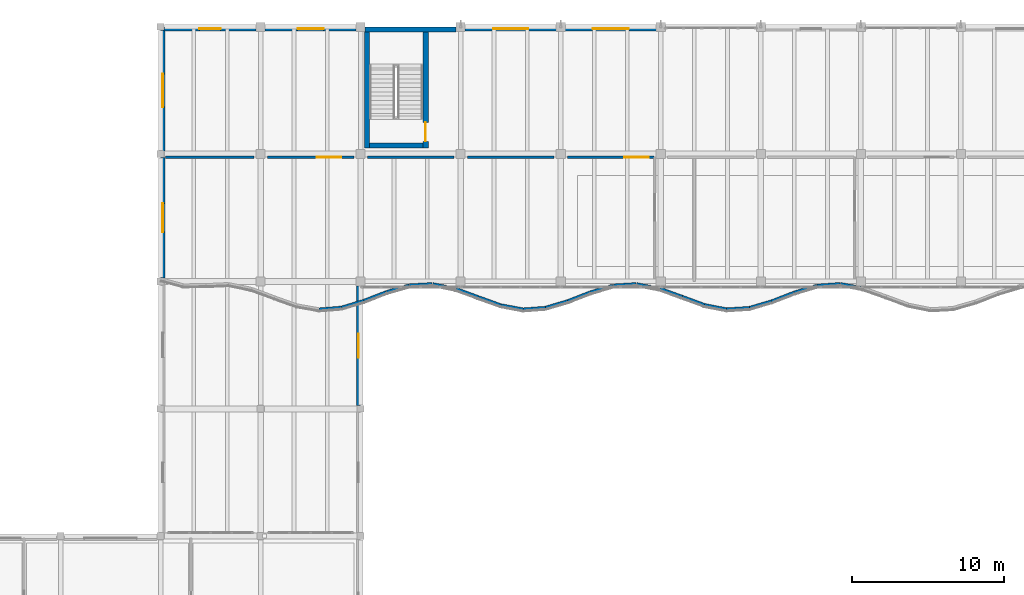
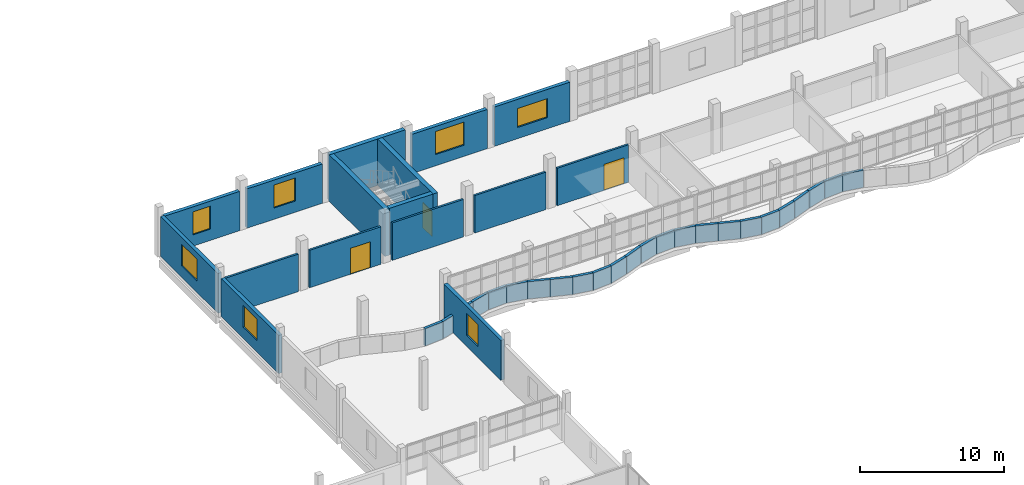
# One storey, part 49 of 74: 40 walls, 7 windows, 3 doors, 10 openings.
"""IFC4 building model written with IfcOpenShell, lengths in metres."""

import ifcopenshell
import ifcopenshell.guid

model = None  # the IFC model being written
_history = None  # IfcOwnerHistory: only IFC2X3 demands one
_inside = {}  # id of a spatial element -> (the spatial element, [elements in it])
_under = {}  # id of a project, library or spatial element -> (it, [spatial elements below it])
_declared = {}  # id of a project -> (the project, [libraries it declares])
_typed = {}  # id of a type object -> (the type object, [elements of that type])
_made_of = {}  # id of a material, layer set ... -> (it, [elements and type objects made of it])


def new_model(schema):
    """Start an empty IFC model of exactly this schema.

    Asked for "IFC4X3", IfcOpenShell would pick the latest addendum, in which some entities
    have other attributes; the version numbers below select the first issue.
    IFC2X3 requires an IfcOwnerHistory on every rooted entity: one is made here for all.
    """
    global model, _history
    if schema == "IFC4X3":
        model = ifcopenshell.file(schema_version=(4, 3, 0, 0))
    else:
        model = ifcopenshell.file(schema=schema)
    _inside.clear()
    _under.clear()
    _declared.clear()
    _typed.clear()
    _made_of.clear()
    _history = None
    if model.schema == "IFC2X3":
        org = make("IfcOrganization", Name="unknown")
        user = make(
            "IfcPersonAndOrganization",
            ThePerson=make("IfcPerson", FamilyName="unknown"),
            TheOrganization=org,
        )
        app = make(
            "IfcApplication",
            ApplicationDeveloper=org,
            Version="unknown",
            ApplicationFullName="unknown",
            ApplicationIdentifier="unknown",
        )
        _history = make(
            "IfcOwnerHistory",
            OwningUser=user,
            OwningApplication=app,
            ChangeAction="ADDED",
            CreationDate=0,
        )
    return model


def make(cls, **values):
    """One entity of the class cls with the attributes given. An attribute that is None is left unset."""
    return model.create_entity(
        cls, **{name: value for name, value in values.items() if value is not None}
    )


def rooted(cls, **values):
    """An entity with a GlobalId (a new one), such as an element, a storey or a relation."""
    return make(cls, GlobalId=ifcopenshell.guid.new(), OwnerHistory=_history, **values)


def si_unit(unit_type, name, prefix=None):
    """IfcSIUnit, for example si_unit("LENGTHUNIT", "METRE", prefix="MILLI")."""
    return make("IfcSIUnit", UnitType=unit_type, Prefix=prefix, Name=name)


def assignment(units):
    """IfcUnitAssignment: the units of a project."""
    return None if units is None else make("IfcUnitAssignment", Units=units)


def point(xyz):
    """IfcCartesianPoint."""
    return None if xyz is None else make("IfcCartesianPoint", Coordinates=xyz)


def direction(xyz):
    """IfcDirection."""
    return None if xyz is None else make("IfcDirection", DirectionRatios=xyz)


def frame(location, z_axis=None, x_axis=None):
    """IfcAxis2Placement3D, a coordinate frame: its origin and axes. An axis left out is left unset."""
    return make(
        "IfcAxis2Placement3D",
        Location=point(location),
        Axis=direction(z_axis),
        RefDirection=direction(x_axis),
    )


def frame_2d(location, x_axis=None):
    """IfcAxis2Placement2D, a coordinate frame in the plane: its origin and x axis."""
    return make(
        "IfcAxis2Placement2D", Location=point(location), RefDirection=direction(x_axis)
    )


def origin():
    """The frame at (0, 0, 0) with its axes left unset."""
    return frame((0.0, 0.0, 0.0))


def place(relative_to, where):
    """IfcLocalPlacement: puts the frame where relative to a parent placement (None: the world)."""
    return make(
        "IfcLocalPlacement", PlacementRelTo=relative_to, RelativePlacement=where
    )


def context(
    kind, dimensions, precision=None, world=None, true_north=None, identifier=None
):
    """IfcGeometricRepresentationContext, for example the 3D "Model" context."""
    return make(
        "IfcGeometricRepresentationContext",
        ContextIdentifier=identifier,
        ContextType=kind,
        CoordinateSpaceDimension=dimensions,
        Precision=precision,
        WorldCoordinateSystem=world,
        TrueNorth=true_north,
    )


def subcontext(parent, identifier, kind, view, scale=None):
    """IfcGeometricRepresentationSubContext, for example "Body" below "Model"."""
    return make(
        "IfcGeometricRepresentationSubContext",
        ContextIdentifier=identifier,
        ContextType=kind,
        ParentContext=parent,
        TargetScale=scale,
        TargetView=view,
    )


def project(units=None, contexts=None):
    """IfcProject with its units and contexts."""
    return rooted(
        "IfcProject",
        Name="project",
        RepresentationContexts=contexts,
        UnitsInContext=assignment(units),
    )


def spatial(cls, under=None, at=None, **own):
    """A site, building, storey or space (cls), placed at a placement, below another one or the project."""
    s = rooted(cls, ObjectPlacement=at, **own)
    if under is not None:
        _under.setdefault(under.id(), (under, []))[1].append(s)
    return s


def profile(cls, at=None, kind="AREA", **sizes):
    """A parametric profile (cls). Its sizes go by their IFC names, for example OverallWidth=200.0."""
    return make(cls, ProfileType=kind, Position=at, **sizes)


def rectangle(**sizes):
    """IfcRectangleProfileDef."""
    return profile("IfcRectangleProfileDef", **sizes)


def extrude(swept, where, along, depth):
    """IfcExtrudedAreaSolid: the profile swept, set in the frame where, extruded along a direction by depth."""
    return make(
        "IfcExtrudedAreaSolid",
        SweptArea=swept,
        Position=where,
        ExtrudedDirection=direction(along),
        Depth=depth,
    )


def shape(context_of_items, identifier, shape_type, items):
    """IfcShapeRepresentation: the items that make up one representation, for example the "Body"."""
    return make(
        "IfcShapeRepresentation",
        ContextOfItems=context_of_items,
        RepresentationIdentifier=identifier,
        RepresentationType=shape_type,
        Items=items,
    )


def material(Name=None, Category=None):
    """IfcMaterial."""
    return make("IfcMaterial", Name=Name, Category=Category)


def layer(
    of_material, thickness, ventilated=None, Name=None, Category=None, Priority=None
):
    """IfcMaterialLayer: one layer of a wall or slab, of a material (None: an air gap)."""
    return make(
        "IfcMaterialLayer",
        Material=of_material,
        LayerThickness=thickness,
        IsVentilated=ventilated,
        Name=Name,
        Category=Category,
        Priority=Priority,
    )


def layer_set(layers, Name=None):
    """IfcMaterialLayerSet."""
    return make("IfcMaterialLayerSet", MaterialLayers=layers, LayerSetName=Name)


def made_of(thing, what):
    """Note that an element or type object is made of a material, layer set ...; save() writes the relation."""
    if what is not None:
        _made_of.setdefault(what.id(), (what, []))[1].append(thing)
    return thing


def type_object(cls, material=None, **own):
    """A type object (cls), such as IfcWallType, which elements share."""
    return made_of(rooted(cls, **own), material)


def element(
    cls,
    number,
    at=None,
    inside=None,
    cuts=None,
    type_object=None,
    material=None,
    context=None,
    identifier="Body",
    shape_type=None,
    held_by="IfcProductDefinitionShape",
    body=None,
    shapes=None,
    **own,
):
    """One element of the class cls, such as IfcWall. Its Tag is "e" and its number.

    at: its placement. inside: the storey or other place that contains it. cuts: it is an
    opening in that element (IfcRelVoidsElement). A single representation is given by context,
    identifier, shape_type and body (its items); several are given by shapes. held_by: the class
    of the entity that holds the representations. save() writes the other relations.
    """
    e = rooted(cls, Tag="e%d" % number, ObjectPlacement=at, **own)
    if body is not None:
        shapes = [shape(context, identifier, shape_type, body)]
    if shapes is not None:
        e.Representation = make(held_by, Representations=shapes)
    if inside is not None:
        _inside.setdefault(inside.id(), (inside, []))[1].append(e)
    if cuts is not None:
        rooted(
            "IfcRelVoidsElement", RelatingBuildingElement=cuts, RelatedOpeningElement=e
        )
    if type_object is not None:
        _typed.setdefault(type_object.id(), (type_object, []))[1].append(e)
    return made_of(e, material)


def fill(opening, filler):
    """IfcRelFillsElement: the door or window that sits in an opening."""
    return rooted(
        "IfcRelFillsElement",
        RelatingOpeningElement=opening,
        RelatedBuildingElement=filler,
    )


def aggregate(whole, parts):
    """IfcRelAggregates: a whole, such as a stair, and the parts it consists of."""
    return rooted("IfcRelAggregates", RelatingObject=whole, RelatedObjects=parts)


def save(model, path):
    """Write the relations noted so far, then the file.

    IfcRelAggregates (storeys below a building ...), IfcRelContainedInSpatialStructure (elements
    in a storey), IfcRelDefinesByType, IfcRelAssociatesMaterial and IfcRelDeclares: one each for
    every whole, place, type object, material and project.
    """
    for whole, parts in _under.values():
        aggregate(whole, parts)
    for where, things in _inside.values():
        rooted(
            "IfcRelContainedInSpatialStructure",
            RelatedElements=things,
            RelatingStructure=where,
        )
    for kind, things in _typed.values():
        rooted("IfcRelDefinesByType", RelatedObjects=things, RelatingType=kind)
    for what, things in _made_of.values():
        rooted("IfcRelAssociatesMaterial", RelatedObjects=things, RelatingMaterial=what)
    for by, libraries in _declared.values():
        rooted("IfcRelDeclares", RelatingContext=by, RelatedDefinitions=libraries)
    model.write(path)


model = new_model("IFC4")

# Units and contexts
model_context = context("Model", 3, precision=1e-05, world=origin(), true_north=direction((0.0, 1.0)))
body_context = subcontext(model_context, "Body", "Model", "MODEL_VIEW")
ifc_project = project(units=[si_unit("LENGTHUNIT", "METRE"), si_unit("AREAUNIT", "SQUARE_METRE"), si_unit("VOLUMEUNIT", "CUBIC_METRE"), si_unit("PLANEANGLEUNIT", "RADIAN"), si_unit("MASSUNIT", "GRAM", prefix="KILO")], contexts=[model_context])

# Site, building, storey
site_placement = place(None, origin())
site = spatial("IfcSite", under=ifc_project, at=site_placement, CompositionType="ELEMENT")
building_placement = place(site_placement, origin())
building = spatial("IfcBuilding", under=site, at=building_placement, Name="Qaldarim Faculty of Natural and Applied Sciences", CompositionType="ELEMENT")
storey_placement = place(building_placement, frame((0.0, 0.0, 14.39990234375)))
storey = spatial("IfcBuildingStorey", under=building, at=storey_placement, Name="L03", CompositionType="ELEMENT", Elevation=14.39990234375)

# Wall
ifc_material_1 = material(Name="Concrete C50/60", Category="concrete")
ifc_layer_1 = layer(ifc_material_1, 0.360107421875)
ifc_layer_set_1 = layer_set([ifc_layer_1], Name="Concrete C50/60")
wall_type_1 = type_object("IfcWallType", Name="CoreShearWall-360", PredefinedType="SHEAR", material=ifc_layer_set_1)
wall_1_placement = place(storey_placement, frame((46.6201171875, 109.590087890625, 0.0), z_axis=(0.0, 0.0, 1.0), x_axis=(0.0, 1.0, 0.0)))
element("IfcWall", 1, at=wall_1_placement, inside=storey, type_object=wall_type_1, Name="Core stair ST-B2 west shear wall L03", PredefinedType="SHEAR", context=body_context, shape_type="SweptSolid", body=[
    extrude(rectangle(XDim=7.83984375, YDim=0.360107421875, at=frame_2d((3.919921875, 0.0))), origin(), (0.0, 0.0, 1.0), 3.940185546875),
])

# Wall, opening, door
wall_2_placement = place(storey_placement, frame((50.47998046875, 109.590087890625, 0.0), z_axis=(0.0, 0.0, 1.0), x_axis=(0.0, 1.0, 0.0)))
wall_2 = element("IfcWall", 2, at=wall_2_placement, inside=storey, type_object=wall_type_1, Name="Core stair ST-B2 east shear wall L03", PredefinedType="SHEAR", context=body_context, shape_type="SweptSolid", body=[
    extrude(rectangle(XDim=7.83984375, YDim=0.360107421875, at=frame_2d((3.919921875, 0.0))), origin(), (0.0, 0.0, 1.0), 3.940185546875),
])
opening_1_placement = place(wall_2_placement, frame((0.449951171875, 0.0, 0.0)))
opening_1 = element("IfcOpeningElement", 3, at=opening_1_placement, cuts=wall_2, Name="Opening ID04", PredefinedType="OPENING", context=body_context, shape_type="SweptSolid", body=[
    extrude(rectangle(XDim=1.25, YDim=2.14990234375, at=frame_2d((0.625, 1.074951171875))), frame((0.0, 0.18994140625, 0.0), z_axis=(0.0, -1.0, 0.0), x_axis=(1.0, 0.0, 0.0)), (0.0, 0.0, 1.0), 0.380126953125),
])
ifc_material_2 = material(Name="Architectural stainless steel 316", Category="steel")
door_type_1 = type_object("IfcDoorType", Name="StairEnclosureFireDoor-1250x2150", OperationType="NOTDEFINED", PredefinedType="DOOR", material=ifc_material_2)
door_1_placement = place(opening_1_placement, origin())
door_1 = element("IfcDoor", 4, at=door_1_placement, inside=storey, type_object=door_type_1, Name="Protected stair ST-B2 fire door D-L03-536", OperationType="SINGLE_SWING_LEFT", OverallHeight=2.14990234375, OverallWidth=1.25, PredefinedType="DOOR", context=body_context, shape_type="SweptSolid", body=[
    extrude(rectangle(XDim=1.25, YDim=2.14990234375, at=frame_2d((0.625, 1.074951171875))), frame((0.0, 0.02490234375, 0.0), z_axis=(0.0, -1.0, 0.0), x_axis=(1.0, 0.0, 0.0)), (0.0, 0.0, 1.0), 0.050048828125),
])
fill(opening_1, door_1)

# Wall
wall_3_placement = place(storey_placement, frame((46.800048828125, 109.77001953125, 0.0), z_axis=(0.0, 0.0, 1.0), x_axis=(1.0, 0.0, 0.0)))
element("IfcWall", 5, at=wall_3_placement, inside=storey, type_object=wall_type_1, Name="Core stair ST-B2 south shear wall L03", PredefinedType="SHEAR", context=body_context, shape_type="SweptSolid", body=[
    extrude(rectangle(XDim=3.5, YDim=0.360107421875, at=frame_2d((1.75, 0.0))), origin(), (0.0, 0.0, 1.0), 3.940185546875),
])

# Wall, opening, window
ifc_material_3 = material(Name="Precast concrete C40/50", Category="concrete")
ifc_layer_2 = layer(ifc_material_3, 0.280029296875)
ifc_layer_set_2 = layer_set([ifc_layer_2], Name="Precast concrete C40/50")
wall_type_2 = type_object("IfcWallType", Name="ExteriorSpandrelWall-280", PredefinedType="SOLIDWALL", material=ifc_layer_set_2)
wall_4_placement = place(storey_placement, frame((33.139892578125, 108.97998046875, 0.0), z_axis=(0.0, 0.0, 1.0), x_axis=(0.0, -1.0, 0.0)))
wall_4 = element("IfcWall", 6, at=wall_4_placement, inside=storey, type_object=wall_type_2, Name="Exterior wall EW02 L03 W X06Y13", PredefinedType="SOLIDWALL", context=body_context, shape_type="SweptSolid", body=[
    extrude(rectangle(XDim=7.9599609375, YDim=0.280029296875, at=frame_2d((3.97998046875, 0.0))), origin(), (0.0, 0.0, 1.0), 3.22509765625),
])
opening_2_placement = place(wall_4_placement, frame((3.030029296875, 0.0, 0.949951171875)))
opening_2 = element("IfcOpeningElement", 7, at=opening_2_placement, cuts=wall_4, Name="Opening WN20", PredefinedType="OPENING", context=body_context, shape_type="SweptSolid", body=[
    extrude(rectangle(XDim=1.89990234375, YDim=1.85009765625, at=frame_2d((0.949951171875, 0.925048828125))), frame((0.0, 0.14990234375, 0.0), z_axis=(0.0, -1.0, 0.0), x_axis=(1.0, 0.0, 0.0)), (0.0, 0.0, 1.0), 0.300048828125),
])
ifc_material_4 = material(Name="Insulated low-e double glazing", Category="glass")
window_type_1 = type_object("IfcWindowType", Name="StudyWindow-1900x1850", PartitioningType="DOUBLE_PANEL_VERTICAL", PredefinedType="WINDOW", material=ifc_material_4)
window_1_placement = place(opening_2_placement, origin())
window_1 = element("IfcWindow", 8, at=window_1_placement, inside=storey, type_object=window_type_1, Name="Facade window WN20 L03 W X06Y13", OverallHeight=1.85009765625, OverallWidth=1.89990234375, PartitioningType="SINGLE_PANEL", PredefinedType="WINDOW", context=body_context, shape_type="SweptSolid", body=[
    extrude(rectangle(XDim=1.89990234375, YDim=1.85009765625, at=frame_2d((0.949951171875, 0.925048828125))), frame((0.0, 0.030029296875, 0.0), z_axis=(0.0, -1.0, 0.0), x_axis=(1.0, 0.0, 0.0)), (0.0, 0.0, 1.0), 0.06005859375),
])
fill(opening_2, window_1)

wall_5_placement = place(storey_placement, frame((39.304931640625, 117.4599609375, 0.0), z_axis=(0.0, 0.0, 1.0), x_axis=(-1.0, 0.0, 0.0)))
wall_5 = element("IfcWall", 9, at=wall_5_placement, inside=storey, type_object=wall_type_2, Name="Exterior wall EW02 L03 N X06Y14", PredefinedType="SOLIDWALL", context=body_context, shape_type="SweptSolid", body=[
    extrude(rectangle(XDim=6.0849609375, YDim=0.280029296875, at=frame_2d((3.04248046875, 0.0))), origin(), (0.0, 0.0, 1.0), 3.3251953125),
])
opening_3_placement = place(wall_5_placement, frame((2.344970703125, 0.0, 0.949951171875)))
opening_3 = element("IfcOpeningElement", 10, at=opening_3_placement, cuts=wall_5, Name="Opening WN25", PredefinedType="OPENING", context=body_context, shape_type="SweptSolid", body=[
    extrude(rectangle(XDim=1.39990234375, YDim=1.949951171875, at=frame_2d((0.699951171875, 0.97509765625))), frame((0.0, 0.14990234375, 0.0), z_axis=(0.0, -1.0, 0.0), x_axis=(1.0, 0.0, 0.0)), (0.0, 0.0, 1.0), 0.300048828125),
])
window_type_2 = type_object("IfcWindowType", Name="GalleryWindow-1400x1950", PartitioningType="DOUBLE_PANEL_VERTICAL", PredefinedType="WINDOW", material=ifc_material_4)
window_2_placement = place(opening_3_placement, origin())
window_2 = element("IfcWindow", 11, at=window_2_placement, inside=storey, type_object=window_type_2, Name="Facade window WN25 L03 N X06Y14", OverallHeight=1.949951171875, OverallWidth=1.39990234375, PartitioningType="SINGLE_PANEL", PredefinedType="WINDOW", context=body_context, shape_type="SweptSolid", body=[
    extrude(rectangle(XDim=1.39990234375, YDim=1.949951171875, at=frame_2d((0.699951171875, 0.97509765625))), frame((0.0, 0.030029296875, 0.0), z_axis=(0.0, -1.0, 0.0), x_axis=(1.0, 0.0, 0.0)), (0.0, 0.0, 1.0), 0.06005859375),
])
fill(opening_3, window_2)

wall_6_placement = place(storey_placement, frame((33.139892578125, 117.3798828125, 0.0), z_axis=(0.0, 0.0, 1.0), x_axis=(0.0, -1.0, 0.0)))
wall_6 = element("IfcWall", 12, at=wall_6_placement, inside=storey, type_object=wall_type_2, Name="Exterior wall EW02 L03 W X06Y14", PredefinedType="SOLIDWALL", context=body_context, shape_type="SweptSolid", body=[
    extrude(rectangle(XDim=7.9599609375, YDim=0.280029296875, at=frame_2d((3.97998046875, 0.0))), origin(), (0.0, 0.0, 1.0), 3.375),
])
opening_4_placement = place(wall_6_placement, frame((2.8798828125, 0.0, 0.949951171875)))
opening_4 = element("IfcOpeningElement", 13, at=opening_4_placement, cuts=wall_6, Name="Opening WN21", PredefinedType="OPENING", context=body_context, shape_type="SweptSolid", body=[
    extrude(rectangle(XDim=2.199951171875, YDim=1.85009765625, at=frame_2d((1.10009765625, 0.925048828125))), frame((0.0, 0.14990234375, 0.0), z_axis=(0.0, -1.0, 0.0), x_axis=(1.0, 0.0, 0.0)), (0.0, 0.0, 1.0), 0.300048828125),
])
window_type_3 = type_object("IfcWindowType", Name="StudyWindow-2200x1850", PartitioningType="TRIPLE_PANEL_VERTICAL", PredefinedType="WINDOW", material=ifc_material_4)
window_3_placement = place(opening_4_placement, origin())
window_3 = element("IfcWindow", 14, at=window_3_placement, inside=storey, type_object=window_type_3, Name="Facade window WN21 L03 W X06Y14", OverallHeight=1.85009765625, OverallWidth=2.199951171875, PartitioningType="SINGLE_PANEL", PredefinedType="WINDOW", context=body_context, shape_type="SweptSolid", body=[
    extrude(rectangle(XDim=2.199951171875, YDim=1.85009765625, at=frame_2d((1.10009765625, 0.925048828125))), frame((0.0, 0.030029296875, 0.0), z_axis=(0.0, -1.0, 0.0), x_axis=(1.0, 0.0, 0.0)), (0.0, 0.0, 1.0), 0.06005859375),
])
fill(opening_4, window_3)

wall_7_placement = place(storey_placement, frame((46.06005859375, 92.6201171875, 0.0), z_axis=(0.0, 0.0, 1.0), x_axis=(0.0, 1.0, 0.0)))
wall_7 = element("IfcWall", 15, at=wall_7_placement, inside=storey, type_object=wall_type_2, Name="Exterior wall EW02 L03 E X07Y12", PredefinedType="SOLIDWALL", context=body_context, shape_type="SweptSolid", body=[
    extrude(rectangle(XDim=7.884765625, YDim=0.280029296875, at=frame_2d((3.9423828125, 0.0))), origin(), (0.0, 0.0, 1.0), 3.375),
])
opening_5_placement = place(wall_7_placement, frame((3.139892578125, 0.0, 0.949951171875)))
opening_5 = element("IfcOpeningElement", 16, at=opening_5_placement, cuts=wall_7, Name="Opening WN19", PredefinedType="OPENING", context=body_context, shape_type="SweptSolid", body=[
    extrude(rectangle(XDim=1.60009765625, YDim=1.85009765625, at=frame_2d((0.800048828125, 0.925048828125))), frame((0.0, 0.14990234375, 0.0), z_axis=(0.0, -1.0, 0.0), x_axis=(1.0, 0.0, 0.0)), (0.0, 0.0, 1.0), 0.300048828125),
])
window_type_4 = type_object("IfcWindowType", Name="StudyWindow-1600x1850", PartitioningType="DOUBLE_PANEL_VERTICAL", PredefinedType="WINDOW", material=ifc_material_4)
window_4_placement = place(opening_5_placement, origin())
window_4 = element("IfcWindow", 17, at=window_4_placement, inside=storey, type_object=window_type_4, Name="Facade window WN19 L03 E X07Y12", OverallHeight=1.85009765625, OverallWidth=1.60009765625, PartitioningType="SINGLE_PANEL", PredefinedType="WINDOW", context=body_context, shape_type="SweptSolid", body=[
    extrude(rectangle(XDim=1.60009765625, YDim=1.85009765625, at=frame_2d((0.800048828125, 0.925048828125))), frame((0.0, 0.030029296875, 0.0), z_axis=(0.0, -1.0, 0.0), x_axis=(1.0, 0.0, 0.0)), (0.0, 0.0, 1.0), 0.06005859375),
])
fill(opening_5, window_4)

wall_8_placement = place(storey_placement, frame((45.905029296875, 117.4599609375, 0.0), z_axis=(0.0, 0.0, 1.0), x_axis=(-1.0, 0.0, 0.0)))
wall_8 = element("IfcWall", 18, at=wall_8_placement, inside=storey, type_object=wall_type_2, Name="Exterior wall EW02 L03 N X07Y14", PredefinedType="SOLIDWALL", context=body_context, shape_type="SweptSolid", body=[
    extrude(rectangle(XDim=6.010009765625, YDim=0.280029296875, at=frame_2d((3.0048828125, 0.0))), origin(), (0.0, 0.0, 1.0), 3.3251953125),
])
opening_6_placement = place(wall_8_placement, frame((2.155029296875, 0.0, 0.949951171875)))
opening_6 = element("IfcOpeningElement", 19, at=opening_6_placement, cuts=wall_8, Name="Opening WN26", PredefinedType="OPENING", context=body_context, shape_type="SweptSolid", body=[
    extrude(rectangle(XDim=1.699951171875, YDim=1.949951171875, at=frame_2d((0.85009765625, 0.97509765625))), frame((0.0, 0.14990234375, 0.0), z_axis=(0.0, -1.0, 0.0), x_axis=(1.0, 0.0, 0.0)), (0.0, 0.0, 1.0), 0.300048828125),
])
window_type_5 = type_object("IfcWindowType", Name="GalleryWindow-1700x1950", PartitioningType="DOUBLE_PANEL_VERTICAL", PredefinedType="WINDOW", material=ifc_material_4)
window_5_placement = place(opening_6_placement, origin())
window_5 = element("IfcWindow", 20, at=window_5_placement, inside=storey, type_object=window_type_5, Name="Facade window WN26 L03 N X07Y14", OverallHeight=1.949951171875, OverallWidth=1.699951171875, PartitioningType="SINGLE_PANEL", PredefinedType="WINDOW", context=body_context, shape_type="SweptSolid", body=[
    extrude(rectangle(XDim=1.699951171875, YDim=1.949951171875, at=frame_2d((0.85009765625, 0.97509765625))), frame((0.0, 0.030029296875, 0.0), z_axis=(0.0, -1.0, 0.0), x_axis=(1.0, 0.0, 0.0)), (0.0, 0.0, 1.0), 0.06005859375),
])
fill(opening_6, window_5)

wall_9_placement = place(storey_placement, frame((59.10498046875, 117.4599609375, 0.0), z_axis=(0.0, 0.0, 1.0), x_axis=(-1.0, 0.0, 0.0)))
wall_9 = element("IfcWall", 21, at=wall_9_placement, inside=storey, type_object=wall_type_2, Name="Exterior wall EW02 L03 N X09Y14", PredefinedType="SOLIDWALL", context=body_context, shape_type="SweptSolid", body=[
    extrude(rectangle(XDim=6.010009765625, YDim=0.280029296875, at=frame_2d((3.0048828125, 0.0))), origin(), (0.0, 0.0, 1.0), 3.3251953125),
])
opening_7_placement = place(wall_9_placement, frame((1.85498046875, 0.0, 0.949951171875)))
opening_7 = element("IfcOpeningElement", 22, at=opening_7_placement, cuts=wall_9, Name="Opening WN28", PredefinedType="OPENING", context=body_context, shape_type="SweptSolid", body=[
    extrude(rectangle(XDim=2.300048828125, YDim=1.949951171875, at=frame_2d((1.14990234375, 0.97509765625))), frame((0.0, 0.14990234375, 0.0), z_axis=(0.0, -1.0, 0.0), x_axis=(1.0, 0.0, 0.0)), (0.0, 0.0, 1.0), 0.300048828125),
])
window_type_6 = type_object("IfcWindowType", Name="GalleryWindow-2300x1950", PartitioningType="TRIPLE_PANEL_VERTICAL", PredefinedType="WINDOW", material=ifc_material_4)
window_6_placement = place(opening_7_placement, origin())
window_6 = element("IfcWindow", 23, at=window_6_placement, inside=storey, type_object=window_type_6, Name="Facade window WN28 L03 N X09Y14", OverallHeight=1.949951171875, OverallWidth=2.300048828125, PartitioningType="SINGLE_PANEL", PredefinedType="WINDOW", context=body_context, shape_type="SweptSolid", body=[
    extrude(rectangle(XDim=2.300048828125, YDim=1.949951171875, at=frame_2d((1.14990234375, 0.97509765625))), frame((0.0, 0.030029296875, 0.0), z_axis=(0.0, -1.0, 0.0), x_axis=(1.0, 0.0, 0.0)), (0.0, 0.0, 1.0), 0.06005859375),
])
fill(opening_7, window_6)

wall_10_placement = place(storey_placement, frame((65.705078125, 117.4599609375, 0.0), z_axis=(0.0, 0.0, 1.0), x_axis=(-1.0, 0.0, 0.0)))
wall_10 = element("IfcWall", 24, at=wall_10_placement, inside=storey, type_object=wall_type_2, Name="Exterior wall EW02 L03 N X10Y14", PredefinedType="SOLIDWALL", context=body_context, shape_type="SweptSolid", body=[
    extrude(rectangle(XDim=6.010009765625, YDim=0.280029296875, at=frame_2d((3.0048828125, 0.0))), origin(), (0.0, 0.0, 1.0), 3.3251953125),
])
opening_8_placement = place(wall_10_placement, frame((1.804931640625, 0.0, 0.949951171875)))
opening_8 = element("IfcOpeningElement", 25, at=opening_8_placement, cuts=wall_10, Name="Opening WN03", PredefinedType="OPENING", context=body_context, shape_type="SweptSolid", body=[
    extrude(rectangle(XDim=2.39990234375, YDim=1.60009765625, at=frame_2d((1.199951171875, 0.800048828125))), frame((0.0, 0.14990234375, 0.0), z_axis=(0.0, -1.0, 0.0), x_axis=(1.0, 0.0, 0.0)), (0.0, 0.0, 1.0), 0.300048828125),
])
window_type_7 = type_object("IfcWindowType", Name="Window-2400x1600", PartitioningType="TRIPLE_PANEL_VERTICAL", PredefinedType="WINDOW", material=ifc_material_4)
window_7_placement = place(opening_8_placement, origin())
window_7 = element("IfcWindow", 26, at=window_7_placement, inside=storey, type_object=window_type_7, Name="Facade window WN03 L03 N X10Y14", OverallHeight=1.60009765625, OverallWidth=2.39990234375, PartitioningType="SINGLE_PANEL", PredefinedType="WINDOW", context=body_context, shape_type="SweptSolid", body=[
    extrude(rectangle(XDim=2.39990234375, YDim=1.60009765625, at=frame_2d((1.199951171875, 0.800048828125))), frame((0.0, 0.030029296875, 0.0), z_axis=(0.0, -1.0, 0.0), x_axis=(1.0, 0.0, 0.0)), (0.0, 0.0, 1.0), 0.06005859375),
])
fill(opening_8, window_7)

# Walls
ifc_layer_3 = layer(ifc_material_1, 0.340087890625)
ifc_layer_set_3 = layer_set([ifc_layer_3], Name="Concrete C50/60")
wall_type_3 = type_object("IfcWallType", Name="ExteriorStairShearWall-340", PredefinedType="SHEAR", material=ifc_layer_set_3)
wall_11_placement = place(storey_placement, frame((52.5048828125, 117.429931640625, 0.0), z_axis=(0.0, 0.0, 1.0), x_axis=(-1.0, 0.0, 0.0)))
element("IfcWall", 27, at=wall_11_placement, inside=storey, type_object=wall_type_3, Name="Exterior wall EW05 L03 N X08Y14", PredefinedType="SHEAR", context=body_context, shape_type="SweptSolid", body=[
    extrude(rectangle(XDim=6.009765625, YDim=0.340087890625, at=frame_2d((3.0048828125, 0.0))), origin(), (0.0, 0.0, 1.0), 3.940185546875),
])
ifc_material_5 = material(Name="Concrete C40/50", Category="concrete")
ifc_layer_4 = layer(ifc_material_5, 0.159912109375)
ifc_layer_set_4 = layer_set([ifc_layer_4], Name="Concrete C40/50")
wall_type_4 = type_object("IfcWallType", Name="FireCorridorWall-160", PredefinedType="PARTITIONING", material=ifc_layer_set_4)
wall_12_placement = place(storey_placement, frame((33.320068359375, 109.0, 0.0), z_axis=(0.0, 0.0, 1.0), x_axis=(1.0, 0.0, 0.0)))
element("IfcWall", 28, at=wall_12_placement, inside=storey, type_object=wall_type_4, Name="Interior partition PRT-L03-V4-CORSW-S1", PredefinedType="PARTITIONING", context=body_context, shape_type="SweptSolid", body=[
    extrude(rectangle(XDim=5.829833984375, YDim=0.159912109375, at=frame_2d((2.9150390625, 0.0))), origin(), (0.0, 0.0, 1.0), 3.175048828125),
])

# Wall, opening, door
wall_13_placement = place(storey_placement, frame((40.050048828125, 109.0, 0.0), z_axis=(0.0, 0.0, 1.0), x_axis=(1.0, 0.0, 0.0)))
wall_13 = element("IfcWall", 29, at=wall_13_placement, inside=storey, type_object=wall_type_4, Name="Interior partition PRT-L03-V4-CORSW-S2", PredefinedType="PARTITIONING", context=body_context, shape_type="SweptSolid", body=[
    extrude(rectangle(XDim=5.699951171875, YDim=0.159912109375, at=frame_2d((2.85009765625, 0.0))), origin(), (0.0, 0.0, 1.0), 3.175048828125),
])
opening_9_placement = place(wall_13_placement, frame((3.27001953125, 0.0, 0.0)))
opening_9 = element("IfcOpeningElement", 30, at=opening_9_placement, cuts=wall_13, Name="Opening ID06", PredefinedType="OPENING", context=body_context, shape_type="SweptSolid", body=[
    extrude(rectangle(XDim=1.60009765625, YDim=2.199951171875, at=frame_2d((0.800048828125, 1.10009765625))), frame((0.0, 0.08984375, 0.0), z_axis=(0.0, -1.0, 0.0), x_axis=(1.0, 0.0, 0.0)), (0.0, 0.0, 1.0), 0.179931640625),
])
door_type_2 = type_object("IfcDoorType", Name="LabEquipmentDoubleDoor-1600x2200", OperationType="NOTDEFINED", PredefinedType="DOOR", material=ifc_material_2)
door_2_placement = place(opening_9_placement, origin())
door_2 = element("IfcDoor", 31, at=door_2_placement, inside=storey, type_object=door_type_2, Name="Interior door D-L03-230", OperationType="DOUBLE_DOOR_SINGLE_SWING", OverallHeight=2.199951171875, OverallWidth=1.60009765625, PredefinedType="DOOR", context=body_context, shape_type="SweptSolid", body=[
    extrude(rectangle(XDim=1.60009765625, YDim=2.199951171875, at=frame_2d((0.800048828125, 1.10009765625))), frame((0.0, 0.02490234375, 0.0), z_axis=(0.0, -1.0, 0.0), x_axis=(1.0, 0.0, 0.0)), (0.0, 0.0, 1.0), 0.050048828125),
])
fill(opening_9, door_2)

# Walls
wall_14_placement = place(storey_placement, frame((46.64990234375, 109.0, 0.0), z_axis=(0.0, 0.0, 1.0), x_axis=(1.0, 0.0, 0.0)))
element("IfcWall", 32, at=wall_14_placement, inside=storey, type_object=wall_type_4, Name="Interior partition PRT-L03-V4-CORSW-S3", PredefinedType="PARTITIONING", context=body_context, shape_type="SweptSolid", body=[
    extrude(rectangle(XDim=5.7001953125, YDim=0.159912109375, at=frame_2d((2.85009765625, 0.0))), origin(), (0.0, 0.0, 1.0), 3.175048828125),
])
wall_15_placement = place(storey_placement, frame((53.25, 109.0, 0.0), z_axis=(0.0, 0.0, 1.0), x_axis=(1.0, 0.0, 0.0)))
element("IfcWall", 33, at=wall_15_placement, inside=storey, type_object=wall_type_4, Name="Interior partition PRT-L03-V4-CORSW-S4", PredefinedType="PARTITIONING", context=body_context, shape_type="SweptSolid", body=[
    extrude(rectangle(XDim=5.699951171875, YDim=0.159912109375, at=frame_2d((2.85009765625, 0.0))), origin(), (0.0, 0.0, 1.0), 3.175048828125),
])

# Wall, opening, door
wall_16_placement = place(storey_placement, frame((59.85009765625, 109.0, 0.0), z_axis=(0.0, 0.0, 1.0), x_axis=(1.0, 0.0, 0.0)))
wall_16 = element("IfcWall", 34, at=wall_16_placement, inside=storey, type_object=wall_type_4, Name="Interior partition PRT-L03-V4-CORSW-S5", PredefinedType="PARTITIONING", context=body_context, shape_type="SweptSolid", body=[
    extrude(rectangle(XDim=5.699951171875, YDim=0.159912109375, at=frame_2d((2.85009765625, 0.0))), origin(), (0.0, 0.0, 1.0), 3.175048828125),
])
opening_10_placement = place(wall_16_placement, frame((3.75, 0.0, 0.0)))
opening_10 = element("IfcOpeningElement", 35, at=opening_10_placement, cuts=wall_16, Name="Opening ID06", PredefinedType="OPENING", context=body_context, shape_type="SweptSolid", body=[
    extrude(rectangle(XDim=1.60009765625, YDim=2.199951171875, at=frame_2d((0.800048828125, 1.10009765625))), frame((0.0, 0.08984375, 0.0), z_axis=(0.0, -1.0, 0.0), x_axis=(1.0, 0.0, 0.0)), (0.0, 0.0, 1.0), 0.179931640625),
])
door_3_placement = place(opening_10_placement, origin())
door_3 = element("IfcDoor", 36, at=door_3_placement, inside=storey, type_object=door_type_2, Name="Interior door D-L03-231", OperationType="DOUBLE_DOOR_SINGLE_SWING", OverallHeight=2.199951171875, OverallWidth=1.60009765625, PredefinedType="DOOR", context=body_context, shape_type="SweptSolid", body=[
    extrude(rectangle(XDim=1.60009765625, YDim=2.199951171875, at=frame_2d((0.800048828125, 1.10009765625))), frame((0.0, 0.02490234375, 0.0), z_axis=(0.0, -1.0, 0.0), x_axis=(1.0, 0.0, 0.0)), (0.0, 0.0, 1.0), 0.050048828125),
])
fill(opening_10, door_3)

# Walls
ifc_material_6 = material(Name="White architectural precast concrete C40/50", Category="concrete")
ifc_layer_5 = layer(ifc_material_6, 0.219970703125)
ifc_layer_set_5 = layer_set([ifc_layer_5], Name="White architectural precast concrete C40/50")
wall_type_5 = type_object("IfcWallType", Name="WhitePrecastWaveBand-220", PredefinedType="SOLIDWALL", material=ifc_layer_set_5)
wall_17_placement = place(storey_placement, frame((43.449951171875, 98.949951171875, 0.0), z_axis=(0.0, 0.0, 1.0), x_axis=(0.996788309494, 0.080081621207, 0.0)))
element("IfcWall", 37, at=wall_17_placement, inside=storey, type_object=wall_type_5, Name="White precast wave spandrel band L03 chord 08", PredefinedType="SOLIDWALL", context=body_context, shape_type="SweptSolid", body=[
    extrude(rectangle(XDim=1.5, YDim=0.219970703125, at=frame_2d((0.75, 0.0))), origin(), (0.0, 0.0, 1.0), 1.4501953125),
])
wall_18_placement = place(storey_placement, frame((44.9150390625, 99.06494140625, 0.0), z_axis=(0.0, 0.0, 1.0), x_axis=(0.956653064102, 0.291230003509, 0.0)))
element("IfcWall", 38, at=wall_18_placement, inside=storey, type_object=wall_type_5, Name="White precast wave spandrel band L03 chord 09", PredefinedType="SOLIDWALL", context=body_context, shape_type="SweptSolid", body=[
    extrude(rectangle(XDim=1.5625, YDim=0.219970703125, at=frame_2d((0.78125, 0.0))), origin(), (0.0, 0.0, 1.0), 1.4501953125),
])
wall_19_placement = place(storey_placement, frame((46.39990234375, 99.514892578125, 0.0), z_axis=(0.0, 0.0, 1.0), x_axis=(0.932290078611, 0.361711500127, 0.0)))
element("IfcWall", 39, at=wall_19_placement, inside=storey, type_object=wall_type_5, Name="White precast wave spandrel band L03 chord 10", PredefinedType="SOLIDWALL", context=body_context, shape_type="SweptSolid", body=[
    extrude(rectangle(XDim=1.603759765625, YDim=0.219970703125, at=frame_2d((0.8017578125, 0.0))), origin(), (0.0, 0.0, 1.0), 1.4501953125),
])
wall_20_placement = place(storey_placement, frame((47.905029296875, 100.10009765625, 0.0), z_axis=(0.0, 0.0, 1.0), x_axis=(0.96020523761, 0.279295366354, 0.0)))
element("IfcWall", 40, at=wall_20_placement, inside=storey, type_object=wall_type_5, Name="White precast wave spandrel band L03 chord 11", PredefinedType="SOLIDWALL", context=body_context, shape_type="SweptSolid", body=[
    extrude(rectangle(XDim=1.556884765625, YDim=0.219970703125, at=frame_2d((0.7783203125, 0.0))), origin(), (0.0, 0.0, 1.0), 1.4501953125),
])
wall_21_placement = place(storey_placement, frame((49.429931640625, 100.5400390625, 0.0), z_axis=(0.0, 0.0, 1.0), x_axis=(0.998378248624, 0.056928663038, 0.0)))
element("IfcWall", 41, at=wall_21_placement, inside=storey, type_object=wall_type_5, Name="White precast wave spandrel band L03 chord 12", PredefinedType="SOLIDWALL", context=body_context, shape_type="SweptSolid", body=[
    extrude(rectangle(XDim=1.492431640625, YDim=0.219970703125, at=frame_2d((0.74609375, 0.0))), origin(), (0.0, 0.0, 1.0), 1.4501953125),
])
wall_22_placement = place(storey_placement, frame((50.9599609375, 100.6201171875, 0.0), z_axis=(0.0, 0.0, 1.0), x_axis=(0.979797661114, -0.199991358, 0.0)))
element("IfcWall", 42, at=wall_22_placement, inside=storey, type_object=wall_type_5, Name="White precast wave spandrel band L03 chord 13", PredefinedType="SOLIDWALL", context=body_context, shape_type="SweptSolid", body=[
    extrude(rectangle(XDim=1.52587890625, YDim=0.219970703125, at=frame_2d((0.762939453125, 0.0))), origin(), (0.0, 0.0, 1.0), 1.4501953125),
])
wall_23_placement = place(storey_placement, frame((52.47509765625, 100.31005859375, 0.0), z_axis=(0.0, 0.0, 1.0), x_axis=(0.938484347718, -0.345321776157, 0.0)))
element("IfcWall", 43, at=wall_23_placement, inside=storey, type_object=wall_type_5, Name="White precast wave spandrel band L03 chord 14", PredefinedType="SOLIDWALL", context=body_context, shape_type="SweptSolid", body=[
    extrude(rectangle(XDim=1.5927734375, YDim=0.219970703125, at=frame_2d((0.79638671875, 0.0))), origin(), (0.0, 0.0, 1.0), 1.4501953125),
])
wall_24_placement = place(storey_placement, frame((53.969970703125, 99.760009765625, 0.0), z_axis=(0.0, 0.0, 1.0), x_axis=(0.940526640065, -0.339719942493, 0.0)))
element("IfcWall", 44, at=wall_24_placement, inside=storey, type_object=wall_type_5, Name="White precast wave spandrel band L03 chord 15", PredefinedType="SOLIDWALL", context=body_context, shape_type="SweptSolid", body=[
    extrude(rectangle(XDim=1.589599609375, YDim=0.219970703125, at=frame_2d((0.794921875, 0.0))), origin(), (0.0, 0.0, 1.0), 1.4501953125),
])
wall_25_placement = place(storey_placement, frame((55.43994140625, 99.22998046875, 0.0), z_axis=(0.0, 0.0, 1.0), x_axis=(0.982908507689, -0.184094718863, 0.0)))
element("IfcWall", 45, at=wall_25_placement, inside=storey, type_object=wall_type_5, Name="White precast wave spandrel band L03 chord 16", PredefinedType="SOLIDWALL", context=body_context, shape_type="SweptSolid", body=[
    extrude(rectangle(XDim=1.52099609375, YDim=0.219970703125, at=frame_2d((0.760498046875, 0.0))), origin(), (0.0, 0.0, 1.0), 1.4501953125),
])
wall_26_placement = place(storey_placement, frame((56.89990234375, 98.949951171875, 0.0), z_axis=(0.0, 0.0, 1.0), x_axis=(0.997299211718, 0.073445778002, 0.0)))
element("IfcWall", 46, at=wall_26_placement, inside=storey, type_object=wall_type_5, Name="White precast wave spandrel band L03 chord 17", PredefinedType="SOLIDWALL", context=body_context, shape_type="SweptSolid", body=[
    extrude(rectangle(XDim=1.499267578125, YDim=0.219970703125, at=frame_2d((0.74951171875, 0.0))), origin(), (0.0, 0.0, 1.0), 1.4501953125),
])
wall_27_placement = place(storey_placement, frame((58.364990234375, 99.054931640625, 0.0), z_axis=(0.0, 0.0, 1.0), x_axis=(0.958435776409, 0.285308363879, 0.0)))
element("IfcWall", 47, at=wall_27_placement, inside=storey, type_object=wall_type_5, Name="White precast wave spandrel band L03 chord 18", PredefinedType="SOLIDWALL", context=body_context, shape_type="SweptSolid", body=[
    extrude(rectangle(XDim=1.56005859375, YDim=0.219970703125, at=frame_2d((0.780029296875, 0.0))), origin(), (0.0, 0.0, 1.0), 1.4501953125),
])
wall_28_placement = place(storey_placement, frame((59.85009765625, 99.4951171875, 0.0), z_axis=(0.0, 0.0, 1.0), x_axis=(0.931921542801, 0.362659948247, 0.0)))
element("IfcWall", 48, at=wall_28_placement, inside=storey, type_object=wall_type_5, Name="White precast wave spandrel band L03 chord 19", PredefinedType="SOLIDWALL", context=body_context, shape_type="SweptSolid", body=[
    extrude(rectangle(XDim=1.598876953125, YDim=0.219970703125, at=frame_2d((0.79931640625, 0.0))), origin(), (0.0, 0.0, 1.0), 1.4501953125),
])
wall_29_placement = place(storey_placement, frame((61.35009765625, 100.080078125, 0.0), z_axis=(0.0, 0.0, 1.0), x_axis=(0.958465833524, 0.285207373621, 0.0)))
element("IfcWall", 49, at=wall_29_placement, inside=storey, type_object=wall_type_5, Name="White precast wave spandrel band L03 chord 20", PredefinedType="SOLIDWALL", context=body_context, shape_type="SweptSolid", body=[
    extrude(rectangle(XDim=1.5595703125, YDim=0.219970703125, at=frame_2d((0.77978515625, 0.0))), origin(), (0.0, 0.0, 1.0), 1.4501953125),
])
wall_30_placement = place(storey_placement, frame((62.875, 100.530029296875, 0.0), z_axis=(0.0, 0.0, 1.0), x_axis=(0.99798865288, 0.063392812863, 0.0)))
element("IfcWall", 50, at=wall_30_placement, inside=storey, type_object=wall_type_5, Name="White precast wave spandrel band L03 chord 21", PredefinedType="SOLIDWALL", context=body_context, shape_type="SweptSolid", body=[
    extrude(rectangle(XDim=1.498046875, YDim=0.219970703125, at=frame_2d((0.7490234375, 0.0))), origin(), (0.0, 0.0, 1.0), 1.4501953125),
])
wall_31_placement = place(storey_placement, frame((64.405029296875, 100.6201171875, 0.0), z_axis=(0.0, 0.0, 1.0), x_axis=(0.981692910036, -0.190470549914, 0.0)))
element("IfcWall", 51, at=wall_31_placement, inside=storey, type_object=wall_type_5, Name="White precast wave spandrel band L03 chord 22", PredefinedType="SOLIDWALL", context=body_context, shape_type="SweptSolid", body=[
    extrude(rectangle(XDim=1.522705078125, YDim=0.219970703125, at=frame_2d((0.76123046875, 0.0))), origin(), (0.0, 0.0, 1.0), 1.4501953125),
])
wall_32_placement = place(storey_placement, frame((65.925048828125, 100.324951171875, 0.0), z_axis=(0.0, 0.0, 1.0), x_axis=(0.940508911561, -0.339769020476, 0.0)))
element("IfcWall", 52, at=wall_32_placement, inside=storey, type_object=wall_type_5, Name="White precast wave spandrel band L03 chord 23", PredefinedType="SOLIDWALL", context=body_context, shape_type="SweptSolid", body=[
    extrude(rectangle(XDim=1.58935546875, YDim=0.219970703125, at=frame_2d((0.794677734375, 0.0))), origin(), (0.0, 0.0, 1.0), 1.4501953125),
])
wall_33_placement = place(storey_placement, frame((67.419921875, 99.784912109375, 0.0), z_axis=(0.0, 0.0, 1.0), x_axis=(0.938552272862, -0.345137119282, 0.0)))
element("IfcWall", 53, at=wall_33_placement, inside=storey, type_object=wall_type_5, Name="White precast wave spandrel band L03 chord 24", PredefinedType="SOLIDWALL", context=body_context, shape_type="SweptSolid", body=[
    extrude(rectangle(XDim=1.593017578125, YDim=0.219970703125, at=frame_2d((0.79638671875, 0.0))), origin(), (0.0, 0.0, 1.0), 1.4501953125),
])
wall_34_placement = place(storey_placement, frame((68.889892578125, 99.239990234375, 0.0), z_axis=(0.0, 0.0, 1.0), x_axis=(0.981698725235, -0.190440575699, 0.0)))
element("IfcWall", 54, at=wall_34_placement, inside=storey, type_object=wall_type_5, Name="White precast wave spandrel band L03 chord 25", PredefinedType="SOLIDWALL", context=body_context, shape_type="SweptSolid", body=[
    extrude(rectangle(XDim=1.52294921875, YDim=0.219970703125, at=frame_2d((0.761474609375, 0.0))), origin(), (0.0, 0.0, 1.0), 1.4501953125),
])
wall_35_placement = place(storey_placement, frame((70.35009765625, 98.955078125, 0.0), z_axis=(0.0, 0.0, 1.0), x_axis=(0.997987997827, 0.063403124474, 0.0)))
element("IfcWall", 55, at=wall_35_placement, inside=storey, type_object=wall_type_5, Name="White precast wave spandrel band L03 chord 26", PredefinedType="SOLIDWALL", context=body_context, shape_type="SweptSolid", body=[
    extrude(rectangle(XDim=1.497802734375, YDim=0.219970703125, at=frame_2d((0.7490234375, 0.0))), origin(), (0.0, 0.0, 1.0), 1.4501953125),
])
wall_36_placement = place(storey_placement, frame((71.81494140625, 99.044921875, 0.0), z_axis=(0.0, 0.0, 1.0), x_axis=(0.959024501002, 0.283323148502, 0.0)))
element("IfcWall", 56, at=wall_36_placement, inside=storey, type_object=wall_type_5, Name="White precast wave spandrel band L03 chord 27", PredefinedType="SOLIDWALL", context=body_context, shape_type="SweptSolid", body=[
    extrude(rectangle(XDim=1.5537109375, YDim=0.219970703125, at=frame_2d((0.77685546875, 0.0))), origin(), (0.0, 0.0, 1.0), 1.4501953125),
])
wall_37_placement = place(storey_placement, frame((73.294921875, 99.47998046875, 0.0), z_axis=(0.0, 0.0, 1.0), x_axis=(0.932290078611, 0.361711500127, 0.0)))
element("IfcWall", 57, at=wall_37_placement, inside=storey, type_object=wall_type_5, Name="White precast wave spandrel band L03 chord 28", PredefinedType="SOLIDWALL", context=body_context, shape_type="SweptSolid", body=[
    extrude(rectangle(XDim=1.603759765625, YDim=0.219970703125, at=frame_2d((0.8017578125, 0.0))), origin(), (0.0, 0.0, 1.0), 1.4501953125),
])
wall_38_placement = place(storey_placement, frame((74.800048828125, 100.06494140625, 0.0), z_axis=(0.0, 0.0, 1.0), x_axis=(0.957563325811, 0.288222964147, 0.0)))
element("IfcWall", 58, at=wall_38_placement, inside=storey, type_object=wall_type_5, Name="White precast wave spandrel band L03 chord 29", PredefinedType="SOLIDWALL", context=body_context, shape_type="SweptSolid", body=[
    extrude(rectangle(XDim=1.56103515625, YDim=0.219970703125, at=frame_2d((0.780517578125, 0.0))), origin(), (0.0, 0.0, 1.0), 1.4501953125),
])
wall_39_placement = place(storey_placement, frame((76.324951171875, 100.52001953125, 0.0), z_axis=(0.0, 0.0, 1.0), x_axis=(0.997311127119, 0.073283802613, 0.0)))
element("IfcWall", 59, at=wall_39_placement, inside=storey, type_object=wall_type_5, Name="White precast wave spandrel band L03 chord 30", PredefinedType="SOLIDWALL", context=body_context, shape_type="SweptSolid", body=[
    extrude(rectangle(XDim=1.499267578125, YDim=0.219970703125, at=frame_2d((0.74951171875, 0.0))), origin(), (0.0, 0.0, 1.0), 1.4501953125),
])
wall_40_placement = place(storey_placement, frame((77.85498046875, 100.6298828125, 0.0), z_axis=(0.0, 0.0, 1.0), x_axis=(0.982937538703, -0.18393965045, 0.0)))
element("IfcWall", 60, at=wall_40_placement, inside=storey, type_object=wall_type_5, Name="White precast wave spandrel band L03 chord 31", PredefinedType="SOLIDWALL", context=body_context, shape_type="SweptSolid", body=[
    extrude(rectangle(XDim=1.52099609375, YDim=0.219970703125, at=frame_2d((0.760498046875, 0.0))), origin(), (0.0, 0.0, 1.0), 1.4501953125),
])

save(model, "model.ifc")
